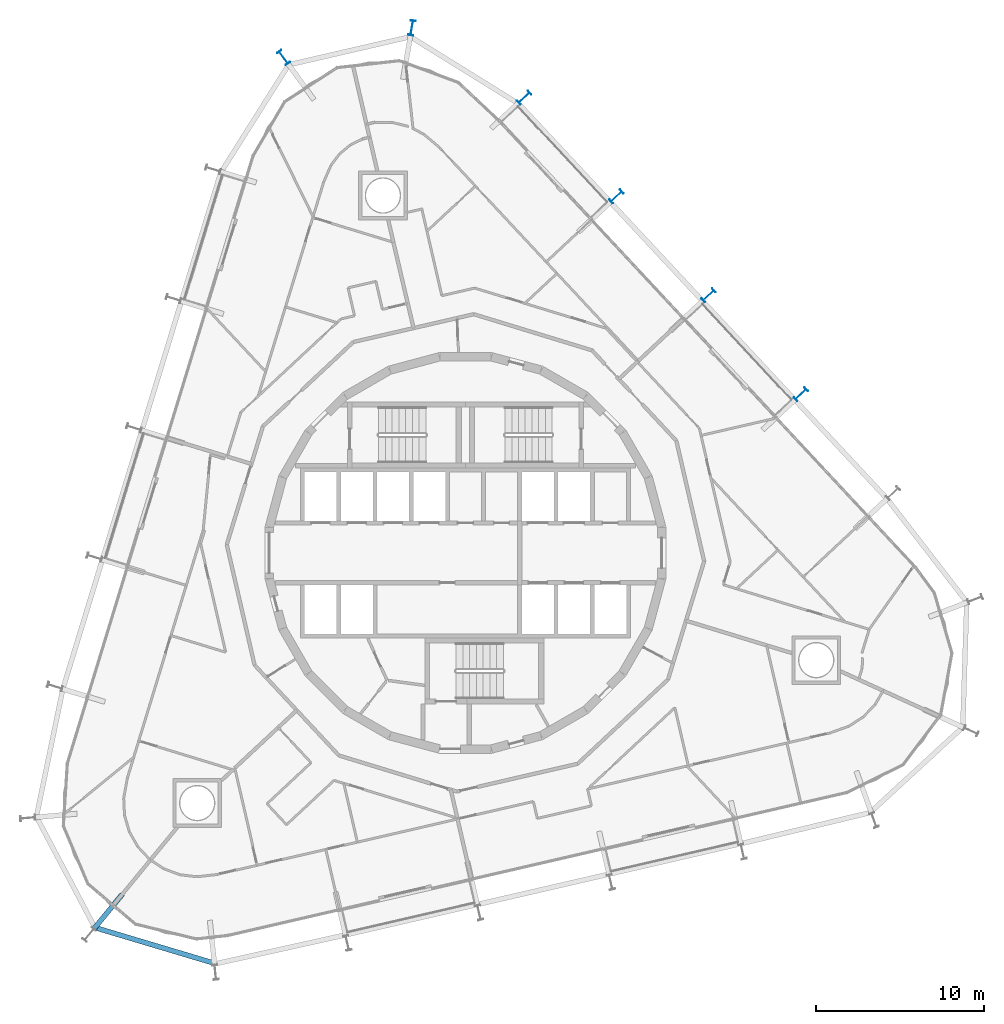
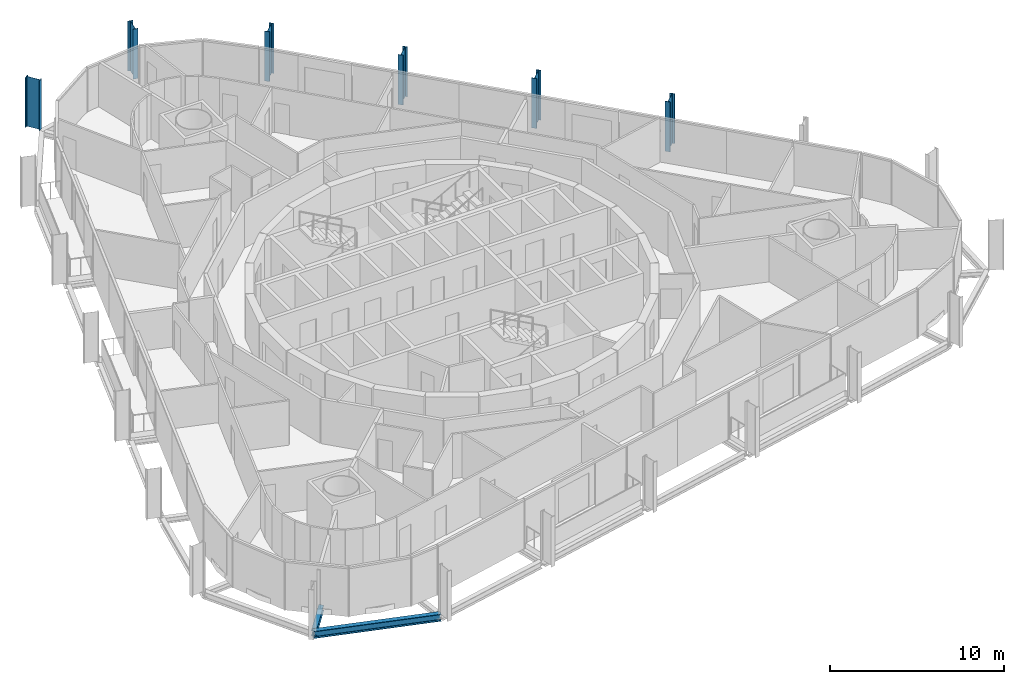
# One storey, part 2 of 18: 6 columns, 2 beams.
"""IFC4 building model written with IfcOpenShell, lengths in metres."""

from ifc_helpers import new_model, si_unit, direction, frame, origin, origin_2d, place, context, subcontext, project, spatial, i_section, extrude, material, material_profile, profile_set, type_object, element, save


model = new_model("IFC4")

# Units and contexts
model_context = context("Model", 3, precision=1e-05, world=origin(), true_north=direction((0.0, 1.0)))
body_context = subcontext(model_context, "Body", "Model", "MODEL_VIEW")
ifc_project = project(units=[si_unit("LENGTHUNIT", "METRE"), si_unit("AREAUNIT", "SQUARE_METRE"), si_unit("VOLUMEUNIT", "CUBIC_METRE"), si_unit("PLANEANGLEUNIT", "RADIAN"), si_unit("MASSUNIT", "GRAM", prefix="KILO")], contexts=[model_context])

# Site, building, storey
site_placement = place(None, origin())
site = spatial("IfcSite", under=ifc_project, at=site_placement, CompositionType="ELEMENT")
building_placement = place(site_placement, origin())
building = spatial("IfcBuilding", under=site, at=building_placement, Name="Spindle Arch Residences", CompositionType="ELEMENT")
storey_placement = place(building_placement, frame((0.0, 0.0, 134.39990234375)))
storey = spatial("IfcBuildingStorey", under=building, at=storey_placement, Name="L33", CompositionType="ELEMENT", Elevation=134.39990234375)

# Columns
ifc_material_1 = material(Name="Steel S460ML, intumescent coating R 240", Category="steel")
ifc_material_profile_1 = material_profile(ifc_material_1, i_section(OverallWidth=0.300048828125, OverallDepth=0.89990234375, WebThickness=0.0185546875, FlangeThickness=0.034912109375, FilletRadius=0.030029296875, at=origin_2d()), Name="HEB 900")
ifc_profile_set_1 = profile_set([ifc_material_profile_1], Name="Steel S460ML, intumescent coating R 240")
column_type = type_object("IfcColumnType", Name="Exoskeleton post HEB 900", PredefinedType="COLUMN", material=ifc_profile_set_1)
for number, where, z_axis, x_axis, name in (
    (1, (19.9150390625, 9.42236328125, -0.3798828125), (0.0, 0.0, 1.0), (0.68199801865, -0.731354019992, 0.0), "Exoskeleton post 7"),
    (2, (14.439208984375, 15.29443359375, -0.3798828125), (0.0, 0.0, 1.0), (0.68199801865, -0.731354019992, 0.0), "Exoskeleton post 8"),
    (3, (8.963134765625, 21.16650390625, -0.3798828125), (0.0, 0.0, 1.0), (0.68199801865, -0.731354019992, 0.0), "Exoskeleton post 9"),
    (4, (3.4873046875, 27.038818359375, -0.3798828125), (0.0, 0.0, 1.0), (0.68199801865, -0.731354019992, 0.0), "Exoskeleton post 10"),
    (5, (-3.185302734375, 31.177001953125, -0.3798828125), (0.0, 0.0, 1.0), (0.985484585876, -0.169764928655, 0.0), "Exoskeleton post 11"),
    (6, (-10.80419921875, 29.41796875, -0.3798828125), (0.0, 0.0, 1.0), (0.811328097008, 0.584591069898, 0.0), "Exoskeleton post 12"),
):
    element("IfcColumn", number, at=place(storey_placement, frame(where, z_axis=z_axis, x_axis=x_axis)), inside=storey, type_object=column_type, Name=name, PredefinedType="COLUMN", context=body_context, shape_type="SweptSolid", body=[
        extrude(i_section(OverallWidth=0.300048828125, OverallDepth=0.89990234375, WebThickness=0.0185546875, FlangeThickness=0.034912109375, FilletRadius=0.030029296875, at=origin_2d()), origin(), (0.0, 0.0, 1.0), 3.5),
    ])

# Beams
ifc_material_2 = material(Name="Steel S460ML, intumescent coating R 120", Category="steel")
ifc_material_profile_2 = material_profile(ifc_material_2, i_section(OverallWidth=0.300048828125, OverallDepth=0.5, WebThickness=0.014404296875, FlangeThickness=0.028076171875, FilletRadius=0.027099609375, at=origin_2d()), Name="HEB 500")
ifc_profile_set_2 = profile_set([ifc_material_profile_2], Name="Steel S460ML, intumescent coating R 120")
beam_type_1 = type_object("IfcBeamType", Name="Exoskeleton edge beam HEB 500", PredefinedType="BEAM", material=ifc_profile_set_2)
beam_1_placement = place(storey_placement, frame((-22.077392578125, -22.2265625, -0.6298828125), z_axis=(0.95815808572, -0.286239554865, 0.0), x_axis=(0.286239554865, 0.95815808572, 0.0)))
element("IfcBeam", 7, at=beam_1_placement, inside=storey, type_object=beam_type_1, Name="Exoskeleton edge beam 19", PredefinedType="BEAM", context=body_context, shape_type="SweptSolid", body=[
    extrude(i_section(OverallWidth=0.300048828125, OverallDepth=0.5, WebThickness=0.014404296875, FlangeThickness=0.028076171875, FilletRadius=0.027099609375, at=origin_2d()), origin(), (0.0, 0.0, 1.0), 7.5595703125),
])
ifc_material_3 = material(Name="Steel S460ML, intumescent coating R 120", Category="steel")
ifc_material_profile_3 = material_profile(ifc_material_3, i_section(OverallWidth=0.300048828125, OverallDepth=0.389892578125, WebThickness=0.010986328125, FlangeThickness=0.01904296875, FilletRadius=0.027099609375, at=origin_2d()), Name="HEA 400")
ifc_profile_set_3 = profile_set([ifc_material_profile_3], Name="Steel S460ML, intumescent coating R 120")
beam_type_2 = type_object("IfcBeamType", Name="Floor outrigger HEA 400", PredefinedType="BEAM", material=ifc_profile_set_3)
beam_2_placement = place(storey_placement, frame((-22.056396484375, -22.31103515625, -0.574951171875), z_axis=(0.634821942797, 0.772658463323, 0.0), x_axis=(-0.772658463323, 0.634821942797, 0.0)))
element("IfcBeam", 8, at=beam_2_placement, inside=storey, type_object=beam_type_2, Name="Floor outrigger 19", PredefinedType="BEAM", context=body_context, shape_type="SweptSolid", body=[
    extrude(i_section(OverallWidth=0.300048828125, OverallDepth=0.389892578125, WebThickness=0.010986328125, FlangeThickness=0.01904296875, FilletRadius=0.027099609375, at=origin_2d()), origin(), (0.0, 0.0, 1.0), 2.649658203125),
])

save(model, "model.ifc")
